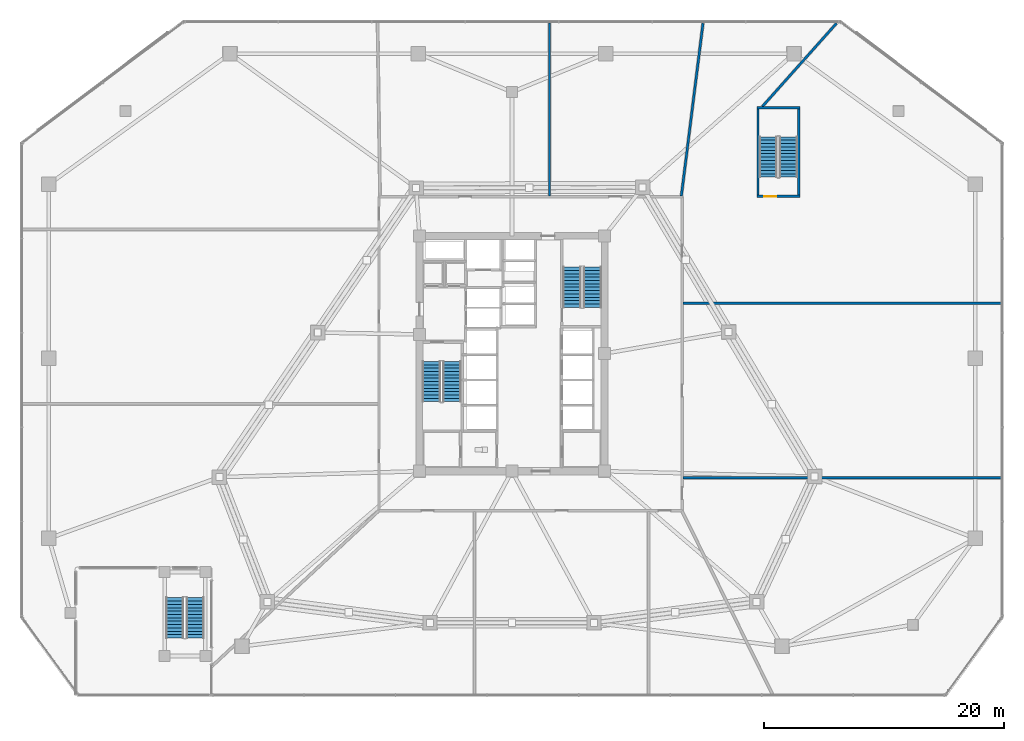
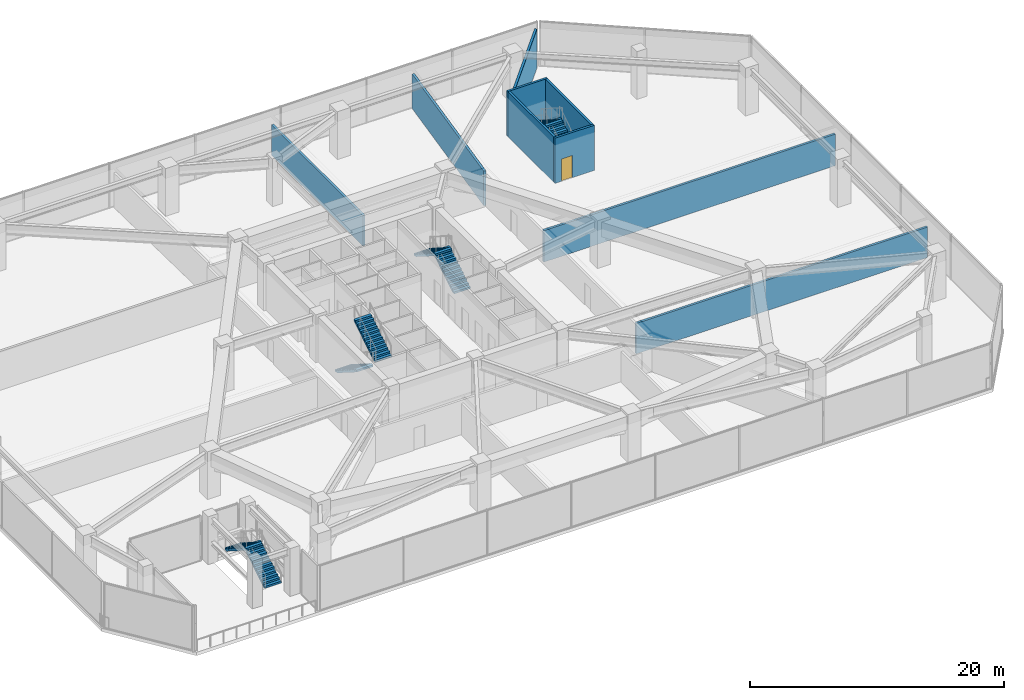
# One storey, part 16 of 23: 9 walls, 8 stair flights, 1 door, 1 opening, 4 elements without a shape of their own.
"""IFC4 building model written with IfcOpenShell, lengths in metres."""

from ifc_helpers import new_model, si_unit, direction, frame, frame_2d, origin, place, context, subcontext, project, spatial, polyline, rectangle, outline, extrude, material, layer, layer_set, type_object, element, fill, aggregate, save


model = new_model("IFC4")

# Units and contexts
model_context = context("Model", 3, precision=1e-05, world=origin(), true_north=direction((0.0, 1.0)))
body_context = subcontext(model_context, "Body", "Model", "MODEL_VIEW")
ifc_project = project(units=[si_unit("LENGTHUNIT", "METRE"), si_unit("AREAUNIT", "SQUARE_METRE"), si_unit("VOLUMEUNIT", "CUBIC_METRE"), si_unit("PLANEANGLEUNIT", "RADIAN"), si_unit("MASSUNIT", "GRAM", prefix="KILO")], contexts=[model_context])

# Site, building, storey
site_placement = place(None, origin())
site = spatial("IfcSite", under=ifc_project, at=site_placement, CompositionType="ELEMENT")
building_placement = place(site_placement, origin())
building = spatial("IfcBuilding", under=site, at=building_placement, Name="Savorim Split Tower", CompositionType="ELEMENT")
storey_placement = place(building_placement, frame((0.0, 0.0, 21.800048828125)))
storey = spatial("IfcBuildingStorey", under=building, at=storey_placement, Name="L05", CompositionType="ELEMENT", Elevation=21.800048828125)

# Wall, opening, door
ifc_material_1 = material(Name="Concrete C50/60", Category="concrete")
ifc_layer = layer(ifc_material_1, 0.199951171875)
ifc_layer_set = layer_set([ifc_layer], Name="WAL-INT-RC200")
wall_type = type_object("IfcWallType", Name="WAL-INT-RC200", PredefinedType="SOLIDWALL", material=ifc_layer_set)
wall_1_placement = place(storey_placement, frame((20.39990234375, 13.5, 0.0), z_axis=(0.0, 0.0, 1.0), x_axis=(1.0, 0.0, 0.0)))
wall_1 = element("IfcWall", 1, at=wall_1_placement, inside=storey, type_object=wall_type, Name="L05 Structural Shaft Wall W-L05-ST3S", PredefinedType="SOLIDWALL", context=body_context, shape_type="SweptSolid", body=[
    extrude(rectangle(XDim=3.60009765625, YDim=0.199951171875, at=frame_2d((1.800048828125, 0.0))), origin(), (0.0, 0.0, 1.0), 4.349853515625),
])
opening_placement = place(wall_1_placement, frame((0.60009765625, 0.0, 0.0)))
opening = element("IfcOpeningElement", 2, at=opening_placement, cuts=wall_1, Name="Opening DI-04", PredefinedType="OPENING", context=body_context, shape_type="SweptSolid", body=[
    extrude(rectangle(XDim=1.0, YDim=2.14990234375, at=frame_2d((0.5, 1.074951171875))), frame((0.0, 0.10986328125, 0.0), z_axis=(0.0, -1.0, 0.0), x_axis=(1.0, 0.0, 0.0)), (0.0, 0.0, 1.0), 0.219970703125),
])
ifc_material_2 = material(Name="Timber Fire Door Leaf", Category="wood")
door_type = type_object("IfcDoorType", Name="DOR-FIR-1000", OperationType="NOTDEFINED", PredefinedType="DOOR", material=ifc_material_2)
door_placement = place(opening_placement, origin())
door = element("IfcDoor", 3, at=door_placement, inside=storey, type_object=door_type, Name="DR-L05-ST3 - L05 Stair ST-3 Enclosure Door", OperationType="SINGLE_SWING_RIGHT", OverallHeight=2.14990234375, OverallWidth=1.0, PredefinedType="DOOR", context=body_context, shape_type="SweptSolid", body=[
    extrude(rectangle(XDim=1.0, YDim=2.14990234375, at=frame_2d((0.5, 1.074951171875))), frame((0.0, 0.02490234375, 0.0), z_axis=(0.0, -1.0, 0.0), x_axis=(1.0, 0.0, 0.0)), (0.0, 0.0, 1.0), 0.050048828125),
])
fill(opening, door)

# Walls
wall_2_placement = place(storey_placement, frame((20.39990234375, 20.89990234375, 0.0), z_axis=(0.0, 0.0, 1.0), x_axis=(1.0, 0.0, 0.0)))
element("IfcWall", 4, at=wall_2_placement, inside=storey, type_object=wall_type, Name="L05 Structural Shaft Wall W-L05-ST3N", PredefinedType="SOLIDWALL", context=body_context, shape_type="SweptSolid", body=[
    extrude(rectangle(XDim=3.60009765625, YDim=0.199951171875, at=frame_2d((1.800048828125, 0.0))), origin(), (0.0, 0.0, 1.0), 4.349853515625),
])
for number, where, z_axis, x_axis, name in (
    (5, (20.5, 13.60009765625, 0.0), (0.0, 0.0, 1.0), (0.0, 1.0, 0.0), "L05 Structural Shaft Wall W-L05-ST3W"),
    (6, (23.89990234375, 13.60009765625, 0.0), (0.0, 0.0, 1.0), (0.0, 1.0, 0.0), "L05 Structural Shaft Wall W-L05-ST3E"),
):
    element("IfcWall", number, at=place(storey_placement, frame(where, z_axis=z_axis, x_axis=x_axis)), inside=storey, type_object=wall_type, Name=name, PredefinedType="SOLIDWALL", context=body_context, shape_type="SweptSolid", body=[
        extrude(rectangle(XDim=7.199951171875, YDim=0.199951171875, at=frame_2d((3.60009765625, 0.0))), origin(), (0.0, 0.0, 1.0), 4.349853515625),
    ])
wall_3_placement = place(storey_placement, frame((14.239990234375, -9.952880859375, 0.0), z_axis=(0.0, 0.0, 1.0), x_axis=(1.0, 0.0, 0.0)))
element("IfcWall", 7, at=wall_3_placement, inside=storey, type_object=wall_type, Name="L05 Partition W-L05-PLW09", PredefinedType="SOLIDWALL", context=body_context, shape_type="SweptSolid", body=[
    extrude(rectangle(XDim=26.489990234375, YDim=0.199951171875, at=frame_2d((13.2451171875, 0.0))), origin(), (0.0, 0.0, 1.0), 2.925048828125),
])
wall_4_placement = place(storey_placement, frame((14.239990234375, 4.593017578125, 0.0), z_axis=(0.0, 0.0, 1.0), x_axis=(1.0, 0.0, 0.0)))
element("IfcWall", 8, at=wall_4_placement, inside=storey, type_object=wall_type, Name="L05 Partition W-L05-PLW10", PredefinedType="SOLIDWALL", context=body_context, shape_type="SweptSolid", body=[
    extrude(rectangle(XDim=26.489990234375, YDim=0.199951171875, at=frame_2d((13.2451171875, 0.0))), origin(), (0.0, 0.0, 1.0), 3.02490234375),
])
wall_5_placement = place(storey_placement, frame((20.851318359375, 20.979736328125, 0.0), z_axis=(0.0, 0.0, 1.0), x_axis=(0.665565515712, 0.74633942968, 0.0)))
element("IfcWall", 9, at=wall_5_placement, inside=storey, type_object=wall_type, Name="L05 Partition W-L05-PLW12", PredefinedType="SOLIDWALL", context=body_context, shape_type="SweptSolid", body=[
    extrude(rectangle(XDim=9.3125, YDim=0.199951171875, at=frame_2d((4.65625, 0.0))), origin(), (0.0, 0.0, 1.0), 3.73486328125),
])
wall_6_placement = place(storey_placement, frame((14.11376953125, 13.5390625, 0.0), z_axis=(0.0, 0.0, 1.0), x_axis=(0.12428127589, 0.992247027944, 0.0)))
element("IfcWall", 10, at=wall_6_placement, inside=storey, type_object=wall_type, Name="L05 Partition W-L05-PLW13", PredefinedType="SOLIDWALL", context=body_context, shape_type="SweptSolid", body=[
    extrude(rectangle(XDim=14.50341796875, YDim=0.199951171875, at=frame_2d((7.251708984375, 0.0))), origin(), (0.0, 0.0, 1.0), 3.31689453125),
])
wall_7_placement = place(storey_placement, frame((3.12744140625, 13.5400390625, 0.0), z_axis=(0.0, 0.0, 1.0), x_axis=(0.0, 1.0, 0.0)))
element("IfcWall", 11, at=wall_7_placement, inside=storey, type_object=wall_type, Name="L05 Partition W-L05-PLW14", PredefinedType="SOLIDWALL", context=body_context, shape_type="SweptSolid", body=[
    extrude(rectangle(XDim=14.389892578125, YDim=0.199951171875, at=frame_2d((7.19482421875, 0.0))), origin(), (0.0, 0.0, 1.0), 2.925048828125),
])

# Stair, stair flights
stair_type = type_object("IfcStairType", Name="STR-DOG-4600", PredefinedType="HALF_TURN_STAIR", material=ifc_material_1)
stair_1_placement = place(storey_placement, origin())
stair_1 = element("IfcStair", 12, at=stair_1_placement, inside=storey, type_object=stair_type, Name="L05 Core Protected Exit Stair ST-1", PredefinedType="HALF_TURN_STAIR")
stair_flight_type = type_object("IfcStairFlightType", Name="SFL-DOG-4600", PredefinedType="STRAIGHT", material=ifc_material_1)
stair_flight_1_placement = place(storey_placement, frame((-6.699951171875, -0.25, 0.0), z_axis=(0.0, 0.0, 1.0), x_axis=(0.0, -1.0, 0.0)))
stair_flight_1 = element("IfcStairFlight", 13, at=stair_flight_1_placement, type_object=stair_flight_type, Name="ST-1 flight 1", NumberOfRisers=13, NumberOfTreads=12, PredefinedType="STRAIGHT", RiserHeight=0.176923077, TreadLength=0.28, context=body_context, shape_type="SweptSolid", body=[
    extrude(outline(polyline([(0.0, 0.0), (0.0, 0.177001953125), (0.280029296875, 0.177001953125), (0.280029296875, 0.353759765625), (0.56005859375, 0.353759765625), (0.56005859375, 0.53076171875), (0.840087890625, 0.53076171875), (0.840087890625, 0.707763671875), (1.1201171875, 0.707763671875), (1.1201171875, 0.884521484375), (1.39990234375, 0.884521484375), (1.39990234375, 1.0615234375), (1.679931640625, 1.0615234375), (1.679931640625, 1.238525390625), (1.9599609375, 1.238525390625), (1.9599609375, 1.415283203125), (2.239990234375, 1.415283203125), (2.239990234375, 1.59228515625), (2.52001953125, 1.59228515625), (2.52001953125, 1.769287109375), (2.800048828125, 1.769287109375), (2.800048828125, 1.946044921875), (3.080078125, 1.946044921875), (3.080078125, 2.123046875), (3.360107421875, 2.123046875), (3.360107421875, 2.300048828125), (3.360107421875, 1.94580078125), (0.280517578125, 0.0), (0.0, 0.0)])), frame((0.0, 0.75, 0.0), z_axis=(0.0, -1.0, 0.0), x_axis=(1.0, 0.0, 0.0)), (0.0, 0.0, 1.0), 1.5),
])
stair_flight_2_placement = place(storey_placement, frame((-5.0, -3.610107421875, 2.300048828125), z_axis=(0.0, 0.0, 1.0), x_axis=(0.0, 1.0, 0.0)))
stair_flight_2 = element("IfcStairFlight", 14, at=stair_flight_2_placement, type_object=stair_flight_type, Name="ST-1 flight 2", NumberOfRisers=13, NumberOfTreads=12, PredefinedType="STRAIGHT", RiserHeight=0.176923077, TreadLength=0.28, context=body_context, shape_type="SweptSolid", body=[
    extrude(outline(polyline([(0.0, 0.0), (0.0, 0.177001953125), (0.280029296875, 0.177001953125), (0.280029296875, 0.353759765625), (0.56005859375, 0.353759765625), (0.56005859375, 0.53076171875), (0.840087890625, 0.53076171875), (0.840087890625, 0.707763671875), (1.1201171875, 0.707763671875), (1.1201171875, 0.884521484375), (1.39990234375, 0.884521484375), (1.39990234375, 1.0615234375), (1.679931640625, 1.0615234375), (1.679931640625, 1.238525390625), (1.9599609375, 1.238525390625), (1.9599609375, 1.415283203125), (2.239990234375, 1.415283203125), (2.239990234375, 1.59228515625), (2.52001953125, 1.59228515625), (2.52001953125, 1.769287109375), (2.800048828125, 1.769287109375), (2.800048828125, 1.946044921875), (3.080078125, 1.946044921875), (3.080078125, 2.123046875), (3.360107421875, 2.123046875), (3.360107421875, 2.300048828125), (3.360107421875, 1.94580078125), (0.280517578125, 0.0), (0.0, 0.0)])), frame((0.0, 0.75, 0.0), z_axis=(0.0, -1.0, 0.0), x_axis=(1.0, 0.0, 0.0)), (0.0, 0.0, 1.0), 1.5),
])
aggregate(stair_1, [stair_flight_1, stair_flight_2])

stair_2_placement = place(storey_placement, origin())
stair_2 = element("IfcStair", 15, at=stair_2_placement, inside=storey, type_object=stair_type, Name="L05 Core Protected Exit Stair ST-2", PredefinedType="HALF_TURN_STAIR")
stair_flight_3_placement = place(storey_placement, frame((6.699951171875, 4.25, 0.0), z_axis=(0.0, 0.0, 1.0), x_axis=(0.0, 1.0, 0.0)))
stair_flight_3 = element("IfcStairFlight", 16, at=stair_flight_3_placement, type_object=stair_flight_type, Name="ST-2 flight 1", NumberOfRisers=13, NumberOfTreads=12, PredefinedType="STRAIGHT", RiserHeight=0.176923077, TreadLength=0.28, context=body_context, shape_type="SweptSolid", body=[
    extrude(outline(polyline([(0.0, 0.0), (0.0, 0.177001953125), (0.280029296875, 0.177001953125), (0.280029296875, 0.353759765625), (0.56005859375, 0.353759765625), (0.56005859375, 0.53076171875), (0.840087890625, 0.53076171875), (0.840087890625, 0.707763671875), (1.1201171875, 0.707763671875), (1.1201171875, 0.884521484375), (1.39990234375, 0.884521484375), (1.39990234375, 1.0615234375), (1.679931640625, 1.0615234375), (1.679931640625, 1.238525390625), (1.9599609375, 1.238525390625), (1.9599609375, 1.415283203125), (2.239990234375, 1.415283203125), (2.239990234375, 1.59228515625), (2.52001953125, 1.59228515625), (2.52001953125, 1.769287109375), (2.800048828125, 1.769287109375), (2.800048828125, 1.946044921875), (3.080078125, 1.946044921875), (3.080078125, 2.123046875), (3.360107421875, 2.123046875), (3.360107421875, 2.300048828125), (3.360107421875, 1.94580078125), (0.280517578125, 0.0), (0.0, 0.0)])), frame((0.0, 0.75, 0.0), z_axis=(0.0, -1.0, 0.0), x_axis=(1.0, 0.0, 0.0)), (0.0, 0.0, 1.0), 1.5),
])
stair_flight_4_placement = place(storey_placement, frame((5.0, 7.610107421875, 2.300048828125), z_axis=(0.0, 0.0, 1.0), x_axis=(0.0, -1.0, 0.0)))
stair_flight_4 = element("IfcStairFlight", 17, at=stair_flight_4_placement, type_object=stair_flight_type, Name="ST-2 flight 2", NumberOfRisers=13, NumberOfTreads=12, PredefinedType="STRAIGHT", RiserHeight=0.176923077, TreadLength=0.28, context=body_context, shape_type="SweptSolid", body=[
    extrude(outline(polyline([(0.0, 0.0), (0.0, 0.177001953125), (0.280029296875, 0.177001953125), (0.280029296875, 0.353759765625), (0.56005859375, 0.353759765625), (0.56005859375, 0.53076171875), (0.840087890625, 0.53076171875), (0.840087890625, 0.707763671875), (1.1201171875, 0.707763671875), (1.1201171875, 0.884521484375), (1.39990234375, 0.884521484375), (1.39990234375, 1.0615234375), (1.679931640625, 1.0615234375), (1.679931640625, 1.238525390625), (1.9599609375, 1.238525390625), (1.9599609375, 1.415283203125), (2.239990234375, 1.415283203125), (2.239990234375, 1.59228515625), (2.52001953125, 1.59228515625), (2.52001953125, 1.769287109375), (2.800048828125, 1.769287109375), (2.800048828125, 1.946044921875), (3.080078125, 1.946044921875), (3.080078125, 2.123046875), (3.360107421875, 2.123046875), (3.360107421875, 2.300048828125), (3.360107421875, 1.94580078125), (0.280517578125, 0.0), (0.0, 0.0)])), frame((0.0, 0.75, 0.0), z_axis=(0.0, -1.0, 0.0), x_axis=(1.0, 0.0, 0.0)), (0.0, 0.0, 1.0), 1.5),
])
aggregate(stair_2, [stair_flight_3, stair_flight_4])

stair_3_placement = place(storey_placement, origin())
stair_3 = element("IfcStair", 18, at=stair_3_placement, inside=storey, type_object=stair_type, Name="L05 Podium Protected Garden Exit Stair ST-3", PredefinedType="HALF_TURN_STAIR")
stair_flight_5_placement = place(storey_placement, frame((23.050048828125, 15.10009765625, 0.0), z_axis=(0.0, 0.0, 1.0), x_axis=(0.0, 1.0, 0.0)))
stair_flight_5 = element("IfcStairFlight", 19, at=stair_flight_5_placement, type_object=stair_flight_type, Name="ST-3 flight 1", NumberOfRisers=13, NumberOfTreads=12, PredefinedType="STRAIGHT", RiserHeight=0.176923077, TreadLength=0.28, context=body_context, shape_type="SweptSolid", body=[
    extrude(outline(polyline([(0.0, 0.0), (0.0, 0.177001953125), (0.280029296875, 0.177001953125), (0.280029296875, 0.353759765625), (0.56005859375, 0.353759765625), (0.56005859375, 0.53076171875), (0.840087890625, 0.53076171875), (0.840087890625, 0.707763671875), (1.1201171875, 0.707763671875), (1.1201171875, 0.884521484375), (1.39990234375, 0.884521484375), (1.39990234375, 1.0615234375), (1.679931640625, 1.0615234375), (1.679931640625, 1.238525390625), (1.9599609375, 1.238525390625), (1.9599609375, 1.415283203125), (2.239990234375, 1.415283203125), (2.239990234375, 1.59228515625), (2.52001953125, 1.59228515625), (2.52001953125, 1.769287109375), (2.800048828125, 1.769287109375), (2.800048828125, 1.946044921875), (3.080078125, 1.946044921875), (3.080078125, 2.123046875), (3.360107421875, 2.123046875), (3.360107421875, 2.300048828125), (3.360107421875, 1.94580078125), (0.280517578125, 0.0), (0.0, 0.0)])), frame((0.0, 0.75, 0.0), z_axis=(0.0, -1.0, 0.0), x_axis=(1.0, 0.0, 0.0)), (0.0, 0.0, 1.0), 1.5),
])
stair_flight_6_placement = place(storey_placement, frame((21.35009765625, 18.4599609375, 2.300048828125), z_axis=(0.0, 0.0, 1.0), x_axis=(0.0, -1.0, 0.0)))
stair_flight_6 = element("IfcStairFlight", 20, at=stair_flight_6_placement, type_object=stair_flight_type, Name="ST-3 flight 2", NumberOfRisers=13, NumberOfTreads=12, PredefinedType="STRAIGHT", RiserHeight=0.176923077, TreadLength=0.28, context=body_context, shape_type="SweptSolid", body=[
    extrude(outline(polyline([(0.0, 0.0), (0.0, 0.177001953125), (0.280029296875, 0.177001953125), (0.280029296875, 0.353759765625), (0.56005859375, 0.353759765625), (0.56005859375, 0.53076171875), (0.840087890625, 0.53076171875), (0.840087890625, 0.707763671875), (1.1201171875, 0.707763671875), (1.1201171875, 0.884521484375), (1.39990234375, 0.884521484375), (1.39990234375, 1.0615234375), (1.679931640625, 1.0615234375), (1.679931640625, 1.238525390625), (1.9599609375, 1.238525390625), (1.9599609375, 1.415283203125), (2.239990234375, 1.415283203125), (2.239990234375, 1.59228515625), (2.52001953125, 1.59228515625), (2.52001953125, 1.769287109375), (2.800048828125, 1.769287109375), (2.800048828125, 1.946044921875), (3.080078125, 1.946044921875), (3.080078125, 2.123046875), (3.360107421875, 2.123046875), (3.360107421875, 2.300048828125), (3.360107421875, 1.94580078125), (0.280517578125, 0.0), (0.0, 0.0)])), frame((0.0, 0.75, 0.0), z_axis=(0.0, -1.0, 0.0), x_axis=(1.0, 0.0, 0.0)), (0.0, 0.0, 1.0), 1.5),
])
aggregate(stair_3, [stair_flight_5, stair_flight_6])

stair_4_placement = place(storey_placement, origin())
stair_4 = element("IfcStair", 21, at=stair_4_placement, inside=storey, type_object=stair_type, Name="L05 Exterior Stepped Public Garden Stair ST-GDN", PredefinedType="HALF_TURN_STAIR")
stair_flight_7_placement = place(storey_placement, frame((-26.39990234375, -23.300048828125, 0.0), z_axis=(0.0, 0.0, 1.0), x_axis=(0.0, 1.0, 0.0)))
stair_flight_7 = element("IfcStairFlight", 22, at=stair_flight_7_placement, type_object=stair_flight_type, Name="ST-GDN flight 1", NumberOfRisers=13, NumberOfTreads=12, PredefinedType="STRAIGHT", RiserHeight=0.176923077, TreadLength=0.28, context=body_context, shape_type="SweptSolid", body=[
    extrude(outline(polyline([(0.0, 0.0), (0.0, 0.177001953125), (0.280029296875, 0.177001953125), (0.280029296875, 0.353759765625), (0.56005859375, 0.353759765625), (0.56005859375, 0.53076171875), (0.840087890625, 0.53076171875), (0.840087890625, 0.707763671875), (1.1201171875, 0.707763671875), (1.1201171875, 0.884521484375), (1.39990234375, 0.884521484375), (1.39990234375, 1.0615234375), (1.679931640625, 1.0615234375), (1.679931640625, 1.238525390625), (1.9599609375, 1.238525390625), (1.9599609375, 1.415283203125), (2.239990234375, 1.415283203125), (2.239990234375, 1.59228515625), (2.52001953125, 1.59228515625), (2.52001953125, 1.769287109375), (2.800048828125, 1.769287109375), (2.800048828125, 1.946044921875), (3.080078125, 1.946044921875), (3.080078125, 2.123046875), (3.360107421875, 2.123046875), (3.360107421875, 2.300048828125), (3.360107421875, 1.94580078125), (0.280517578125, 0.0), (0.0, 0.0)])), frame((0.0, 0.75, 0.0), z_axis=(0.0, -1.0, 0.0), x_axis=(1.0, 0.0, 0.0)), (0.0, 0.0, 1.0), 1.5),
])
stair_flight_8_placement = place(storey_placement, frame((-28.10009765625, -19.93994140625, 2.300048828125), z_axis=(0.0, 0.0, 1.0), x_axis=(0.0, -1.0, 0.0)))
stair_flight_8 = element("IfcStairFlight", 23, at=stair_flight_8_placement, type_object=stair_flight_type, Name="ST-GDN flight 2", NumberOfRisers=13, NumberOfTreads=12, PredefinedType="STRAIGHT", RiserHeight=0.176923077, TreadLength=0.28, context=body_context, shape_type="SweptSolid", body=[
    extrude(outline(polyline([(0.0, 0.0), (0.0, 0.177001953125), (0.280029296875, 0.177001953125), (0.280029296875, 0.353759765625), (0.56005859375, 0.353759765625), (0.56005859375, 0.53076171875), (0.840087890625, 0.53076171875), (0.840087890625, 0.707763671875), (1.1201171875, 0.707763671875), (1.1201171875, 0.884521484375), (1.39990234375, 0.884521484375), (1.39990234375, 1.0615234375), (1.679931640625, 1.0615234375), (1.679931640625, 1.238525390625), (1.9599609375, 1.238525390625), (1.9599609375, 1.415283203125), (2.239990234375, 1.415283203125), (2.239990234375, 1.59228515625), (2.52001953125, 1.59228515625), (2.52001953125, 1.769287109375), (2.800048828125, 1.769287109375), (2.800048828125, 1.946044921875), (3.080078125, 1.946044921875), (3.080078125, 2.123046875), (3.360107421875, 2.123046875), (3.360107421875, 2.300048828125), (3.360107421875, 1.94580078125), (0.280517578125, 0.0), (0.0, 0.0)])), frame((0.0, 0.75, 0.0), z_axis=(0.0, -1.0, 0.0), x_axis=(1.0, 0.0, 0.0)), (0.0, 0.0, 1.0), 1.5),
])
aggregate(stair_4, [stair_flight_7, stair_flight_8])

save(model, "model.ifc")
